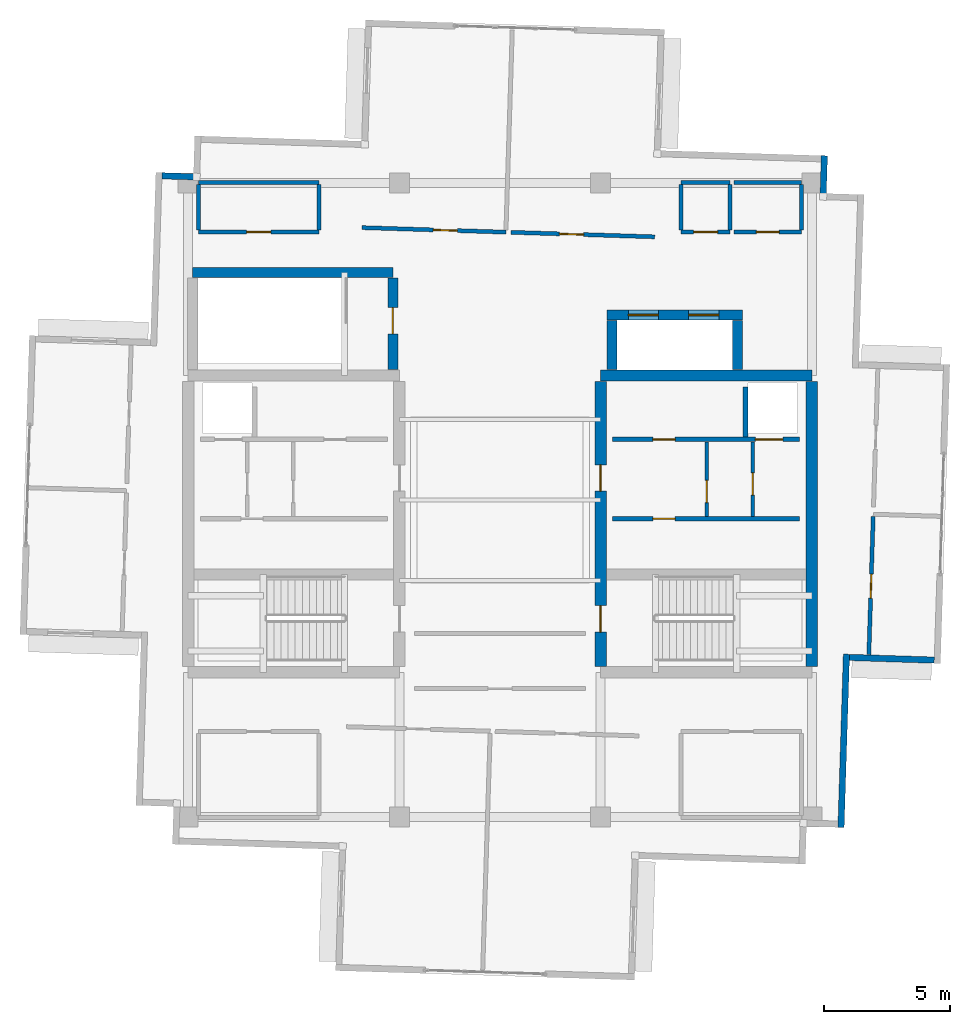
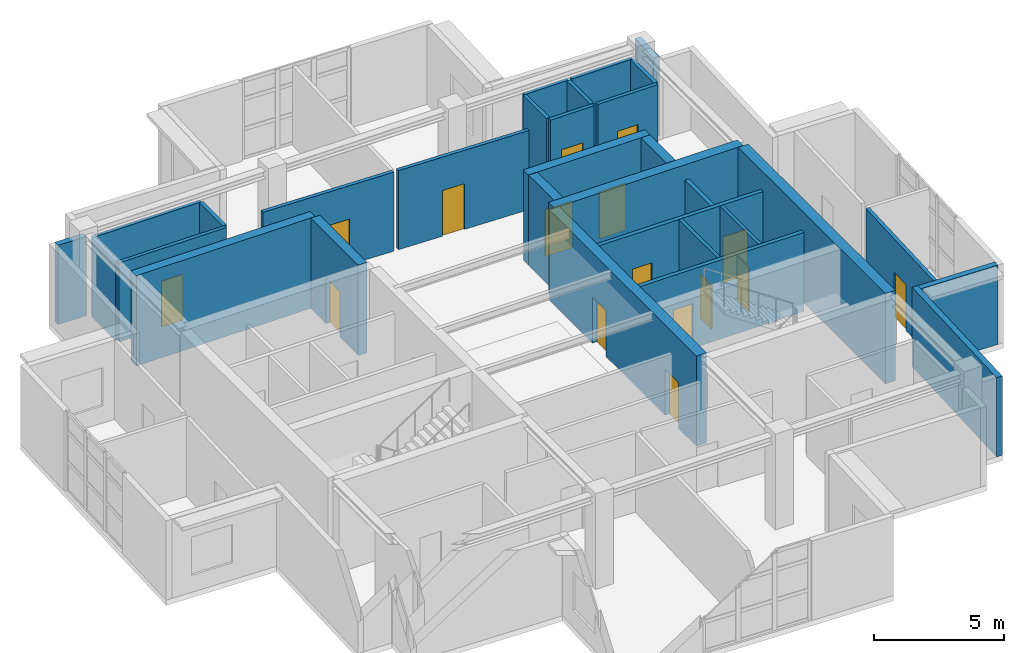
# One storey, part 11 of 14: 31 walls, 16 doors, 16 openings.
"""IFC4 building model written with IfcOpenShell, lengths in metres."""

from ifc_helpers import new_model, si_unit, direction, frame, frame_2d, origin, place, context, subcontext, project, spatial, rectangle, extrude, material, layer, layer_set, type_object, element, fill, save


model = new_model("IFC4")

# Units and contexts
model_context = context("Model", 3, precision=1e-05, world=origin(), true_north=direction((0.0, 1.0)))
body_context = subcontext(model_context, "Body", "Model", "MODEL_VIEW")
ifc_project = project(units=[si_unit("LENGTHUNIT", "METRE"), si_unit("AREAUNIT", "SQUARE_METRE"), si_unit("VOLUMEUNIT", "CUBIC_METRE"), si_unit("PLANEANGLEUNIT", "RADIAN"), si_unit("MASSUNIT", "GRAM", prefix="KILO")], contexts=[model_context])

# Site, building, storey
site_placement = place(None, origin())
site = spatial("IfcSite", under=ifc_project, at=site_placement, CompositionType="ELEMENT")
building_placement = place(site_placement, origin())
building = spatial("IfcBuilding", under=site, at=building_placement, Name="Qingluan Cross Belvedere", CompositionType="ELEMENT")
storey_placement = place(building_placement, frame((0.0, 0.0, 317.39990234375)))
storey = spatial("IfcBuildingStorey", under=building, at=storey_placement, Name="L78", CompositionType="ELEMENT", Elevation=317.39990234375)

# Wall
ifc_material_1 = material(Name="Concrete C50", Category="concrete")
ifc_layer_1 = layer(ifc_material_1, 0.449951171875, Name="CoreShearWall_450")
ifc_layer_set_1 = layer_set([ifc_layer_1], Name="Concrete C50")
wall_type_1 = type_object("IfcWallType", Name="CoreShearWall_450", PredefinedType="SHEAR", material=ifc_layer_set_1)
wall_1_placement = place(storey_placement, frame((4.0, 4.949951171875, 0.0), z_axis=(0.0, 0.0, 1.0), x_axis=(1.0, 0.0, 0.0)))
element("IfcWall", 1, at=wall_1_placement, inside=storey, type_object=wall_type_1, Name="Split core E shear wall L78-N", PredefinedType="SHEAR", context=body_context, shape_type="SweptSolid", body=[
    extrude(rectangle(XDim=8.39990234375, YDim=0.449951171875, at=frame_2d((4.199951171875, 0.0))), origin(), (0.0, 0.0, 1.0), 4.25),
])

# Wall, openings, doors
wall_2_placement = place(storey_placement, frame((4.0, -6.6201171875, 0.0), z_axis=(0.0, 0.0, 1.0), x_axis=(0.0, 1.0, 0.0)))
wall_2 = element("IfcWall", 2, at=wall_2_placement, inside=storey, type_object=wall_type_1, Name="Split core E shear wall L78-W", PredefinedType="SHEAR", context=body_context, shape_type="SweptSolid", body=[
    extrude(rectangle(XDim=11.340087890625, YDim=0.449951171875, at=frame_2d((5.669921875, 0.0))), origin(), (0.0, 0.0, 1.0), 4.25),
])
opening_1_placement = place(wall_2_placement, frame((1.3701171875, 0.0, 0.0)))
opening_1 = element("IfcOpeningElement", 3, at=opening_1_placement, cuts=wall_2, Name="Opening FD-B11", PredefinedType="OPENING", context=body_context, shape_type="SweptSolid", body=[
    extrude(rectangle(XDim=1.050048828125, YDim=2.14990234375, at=frame_2d((0.52490234375, 1.074951171875))), frame((0.0, 0.23486328125, 0.0), z_axis=(0.0, -1.0, 0.0), x_axis=(1.0, 0.0, 0.0)), (0.0, 0.0, 1.0), 0.469970703125),
])
opening_2_placement = place(wall_2_placement, frame((6.969970703125, 0.0, 0.0)))
opening_2 = element("IfcOpeningElement", 4, at=opening_2_placement, cuts=wall_2, Name="Opening FD-B11", PredefinedType="OPENING", context=body_context, shape_type="SweptSolid", body=[
    extrude(rectangle(XDim=1.050048828125, YDim=2.14990234375, at=frame_2d((0.52490234375, 1.074951171875))), frame((0.0, 0.23486328125, 0.0), z_axis=(0.0, -1.0, 0.0), x_axis=(1.0, 0.0, 0.0)), (0.0, 0.0, 1.0), 0.469970703125),
])
ifc_material_2 = material(Name="Steel Class B smoke-seal fire door", Category="steel")
door_type_1 = type_object("IfcDoorType", Name="StairLobbyFireDoor_FDB", OperationType="NOTDEFINED", PredefinedType="DOOR", material=ifc_material_2)
door_1_placement = place(opening_1_placement, origin())
door_1 = element("IfcDoor", 5, at=door_1_placement, inside=storey, type_object=door_type_1, Name="Smoke-proof stair ST2 fire door L78", OperationType="SINGLE_SWING_LEFT", OverallHeight=2.14990234375, OverallWidth=1.050048828125, PredefinedType="DOOR", context=body_context, shape_type="SweptSolid", body=[
    extrude(rectangle(XDim=1.050048828125, YDim=2.14990234375, at=frame_2d((0.52490234375, 1.074951171875))), frame((0.0, 0.02490234375, 0.0), z_axis=(0.0, -1.0, 0.0), x_axis=(1.0, 0.0, 0.0)), (0.0, 0.0, 1.0), 0.050048828125),
])
fill(opening_1, door_1)
door_2_placement = place(opening_2_placement, origin())
door_2 = element("IfcDoor", 6, at=door_2_placement, inside=storey, type_object=door_type_1, Name="Firefighting lobby East fire door L78", OperationType="SINGLE_SWING_LEFT", OverallHeight=2.14990234375, OverallWidth=1.050048828125, PredefinedType="DOOR", context=body_context, shape_type="SweptSolid", body=[
    extrude(rectangle(XDim=1.050048828125, YDim=2.14990234375, at=frame_2d((0.52490234375, 1.074951171875))), frame((0.0, 0.02490234375, 0.0), z_axis=(0.0, -1.0, 0.0), x_axis=(1.0, 0.0, 0.0)), (0.0, 0.0, 1.0), 0.050048828125),
])
fill(opening_2, door_2)

# Walls
wall_3_placement = place(storey_placement, frame((12.39990234375, -6.6201171875, 0.0), z_axis=(0.0, 0.0, 1.0), x_axis=(0.0, 1.0, 0.0)))
element("IfcWall", 7, at=wall_3_placement, inside=storey, type_object=wall_type_1, Name="Split core E shear wall L78-E", PredefinedType="SHEAR", context=body_context, shape_type="SweptSolid", body=[
    extrude(rectangle(XDim=11.340087890625, YDim=0.449951171875, at=frame_2d((5.669921875, 0.0))), origin(), (0.0, 0.0, 1.0), 4.25),
])
wall_4_placement = place(storey_placement, frame((-12.219970703125, 9.0400390625, 0.0), z_axis=(0.0, 0.0, 1.0), x_axis=(1.0, 0.0, 0.0)))
element("IfcWall", 8, at=wall_4_placement, inside=storey, type_object=wall_type_1, Name="Stair ST3 structural wall N L78", PredefinedType="SHEAR", context=body_context, shape_type="SweptSolid", body=[
    extrude(rectangle(XDim=7.9599609375, YDim=0.39990234375, at=frame_2d((3.97998046875, 0.0))), origin(), (0.0, 0.0, 1.0), 4.25),
])

# Wall, opening, door
wall_5_placement = place(storey_placement, frame((-4.260009765625, 5.179931640625, 0.0), z_axis=(0.0, 0.0, 1.0), x_axis=(0.0, 1.0, 0.0)))
wall_5 = element("IfcWall", 9, at=wall_5_placement, inside=storey, type_object=wall_type_1, Name="Stair ST3 structural wall E L78", PredefinedType="SHEAR", context=body_context, shape_type="SweptSolid", body=[
    extrude(rectangle(XDim=3.655029296875, YDim=0.39990234375, at=frame_2d((1.82763671875, 0.0))), origin(), (0.0, 0.0, 1.0), 4.25),
])
opening_3_placement = place(wall_5_placement, frame((1.419921875, 0.0, 0.0)))
opening_3 = element("IfcOpeningElement", 10, at=opening_3_placement, cuts=wall_5, Name="Opening FD-B11", PredefinedType="OPENING", context=body_context, shape_type="SweptSolid", body=[
    extrude(rectangle(XDim=1.050048828125, YDim=2.14990234375, at=frame_2d((0.52490234375, 1.074951171875))), frame((0.0, 0.2099609375, 0.0), z_axis=(0.0, -1.0, 0.0), x_axis=(1.0, 0.0, 0.0)), (0.0, 0.0, 1.0), 0.419921875),
])
door_3_placement = place(opening_3_placement, origin())
door_3 = element("IfcDoor", 11, at=door_3_placement, inside=storey, type_object=door_type_1, Name="Smoke-proof stair ST3 fire door L78", OperationType="SINGLE_SWING_RIGHT", OverallHeight=2.14990234375, OverallWidth=1.050048828125, PredefinedType="DOOR", context=body_context, shape_type="SweptSolid", body=[
    extrude(rectangle(XDim=1.050048828125, YDim=2.14990234375, at=frame_2d((0.52490234375, 1.074951171875))), frame((0.0, 0.02490234375, 0.0), z_axis=(0.0, -1.0, 0.0), x_axis=(1.0, 0.0, 0.0)), (0.0, 0.0, 1.0), 0.050048828125),
])
fill(opening_3, door_3)

# Wall
wall_6_placement = place(storey_placement, frame((4.449951171875, 5.179931640625, 0.0), z_axis=(0.0, 0.0, 1.0), x_axis=(0.0, 1.0, 0.0)))
element("IfcWall", 12, at=wall_6_placement, inside=storey, type_object=wall_type_1, Name="Express shuttle core wall L78-W", PredefinedType="SHEAR", context=body_context, shape_type="SweptSolid", body=[
    extrude(rectangle(XDim=1.9599609375, YDim=0.39990234375, at=frame_2d((0.97998046875, 0.0))), origin(), (0.0, 0.0, 1.0), 4.25),
])

# Wall, openings, doors
wall_7_placement = place(storey_placement, frame((4.25, 7.35009765625, 0.0), z_axis=(0.0, 0.0, 1.0), x_axis=(1.0, 0.0, 0.0)))
wall_7 = element("IfcWall", 13, at=wall_7_placement, inside=storey, type_object=wall_type_1, Name="Express shuttle core wall L78-N", PredefinedType="SHEAR", context=body_context, shape_type="SweptSolid", body=[
    extrude(rectangle(XDim=5.39990234375, YDim=0.39990234375, at=frame_2d((2.699951171875, 0.0))), origin(), (0.0, 0.0, 1.0), 4.25),
])
opening_4_placement = place(wall_7_placement, frame((0.85009765625, 0.0, 0.0)))
opening_4 = element("IfcOpeningElement", 14, at=opening_4_placement, cuts=wall_7, Name="Opening LD-12", PredefinedType="OPENING", context=body_context, shape_type="SweptSolid", body=[
    extrude(rectangle(XDim=1.199951171875, YDim=2.199951171875, at=frame_2d((0.60009765625, 1.10009765625))), frame((0.0, 0.2099609375, 0.0), z_axis=(0.0, -1.0, 0.0), x_axis=(1.0, 0.0, 0.0)), (0.0, 0.0, 1.0), 0.419921875),
])
opening_5_placement = place(wall_7_placement, frame((3.25, 0.0, 0.0)))
opening_5 = element("IfcOpeningElement", 15, at=opening_5_placement, cuts=wall_7, Name="Opening LD-12", PredefinedType="OPENING", context=body_context, shape_type="SweptSolid", body=[
    extrude(rectangle(XDim=1.199951171875, YDim=2.199951171875, at=frame_2d((0.60009765625, 1.10009765625))), frame((0.0, 0.2099609375, 0.0), z_axis=(0.0, -1.0, 0.0), x_axis=(1.0, 0.0, 0.0)), (0.0, 0.0, 1.0), 0.419921875),
])
ifc_material_3 = material(Name="Bronze-anodised stainless steel lift landing door", Category="steel")
door_type_2 = type_object("IfcDoorType", Name="ExpressLiftSlidingDoor_1200", OperationType="DOUBLE_DOOR_SLIDING", PredefinedType="DOOR", material=ifc_material_3)
door_4_placement = place(opening_4_placement, origin())
door_4 = element("IfcDoor", 16, at=door_4_placement, inside=storey, type_object=door_type_2, Name="Express shuttle landing sliding door LPX1 L78", OperationType="DOUBLE_DOOR_SLIDING", OverallHeight=2.199951171875, OverallWidth=1.199951171875, PredefinedType="DOOR", context=body_context, shape_type="SweptSolid", body=[
    extrude(rectangle(XDim=1.199951171875, YDim=2.199951171875, at=frame_2d((0.60009765625, 1.10009765625))), frame((0.0, 0.02490234375, 0.0), z_axis=(0.0, -1.0, 0.0), x_axis=(1.0, 0.0, 0.0)), (0.0, 0.0, 1.0), 0.050048828125),
])
fill(opening_4, door_4)
door_5_placement = place(opening_5_placement, origin())
door_5 = element("IfcDoor", 17, at=door_5_placement, inside=storey, type_object=door_type_2, Name="Express shuttle landing sliding door LPX2 L78", OperationType="DOUBLE_DOOR_SLIDING", OverallHeight=2.199951171875, OverallWidth=1.199951171875, PredefinedType="DOOR", context=body_context, shape_type="SweptSolid", body=[
    extrude(rectangle(XDim=1.199951171875, YDim=2.199951171875, at=frame_2d((0.60009765625, 1.10009765625))), frame((0.0, 0.02490234375, 0.0), z_axis=(0.0, -1.0, 0.0), x_axis=(1.0, 0.0, 0.0)), (0.0, 0.0, 1.0), 0.050048828125),
])
fill(opening_5, door_5)

# Wall
wall_8_placement = place(storey_placement, frame((9.449951171875, 5.179931640625, 0.0), z_axis=(0.0, 0.0, 1.0), x_axis=(0.0, 1.0, 0.0)))
element("IfcWall", 18, at=wall_8_placement, inside=storey, type_object=wall_type_1, Name="Express shuttle core wall L78-E", PredefinedType="SHEAR", context=body_context, shape_type="SweptSolid", body=[
    extrude(rectangle(XDim=1.9599609375, YDim=0.39990234375, at=frame_2d((0.97998046875, 0.0))), origin(), (0.0, 0.0, 1.0), 4.25),
])

# Wall, opening, door
ifc_material_4 = material(Name="Gypsum plasterboard on steel stud acoustic partition", Category="steel")
ifc_layer_2 = layer(ifc_material_4, 0.159912109375, Name="CorridorPartition_160")
ifc_layer_set_2 = layer_set([ifc_layer_2], Name="Gypsum plasterboard on steel stud acoustic partition")
wall_type_2 = type_object("IfcWallType", Name="CorridorPartition_160", PredefinedType="PARTITIONING", material=ifc_layer_set_2)
wall_9_placement = place(storey_placement, frame((10.050048828125, -0.652099609375, 0.0), z_axis=(0.0, 0.0, 1.0), x_axis=(0.0, 1.0, 0.0)))
wall_9 = element("IfcWall", 19, at=wall_9_placement, inside=storey, type_object=wall_type_2, Name="Partition L78:ev", PredefinedType="PARTITIONING", context=body_context, shape_type="SweptSolid", body=[
    extrude(rectangle(XDim=2.962158203125, YDim=0.139892578125, at=frame_2d((1.48095703125, 0.0))), origin(), (0.0, 0.0, 1.0), 3.72021484375),
])
opening_6_placement = place(wall_9_placement, frame((0.85009765625, 0.0, 0.0)))
opening_6 = element("IfcOpeningElement", 20, at=opening_6_placement, cuts=wall_9, Name="Opening FD-B10", PredefinedType="OPENING", context=body_context, shape_type="SweptSolid", body=[
    extrude(rectangle(XDim=0.8798828125, YDim=2.10009765625, at=frame_2d((0.43994140625, 1.050048828125))), frame((0.0, 0.079833984375, 0.0), z_axis=(0.0, -1.0, 0.0), x_axis=(1.0, 0.0, 0.0)), (0.0, 0.0, 1.0), 0.159912109375),
])
ifc_material_5 = material(Name="Steel Class B service fire door", Category="steel")
door_type_3 = type_object("IfcDoorType", Name="RiserServiceFireDoor_FDB", OperationType="NOTDEFINED", PredefinedType="DOOR", material=ifc_material_5)
door_6_placement = place(opening_6_placement, origin())
door_6 = element("IfcDoor", 21, at=door_6_placement, inside=storey, type_object=door_type_3, Name="Service closet inner door L78", OperationType="SINGLE_SWING_RIGHT", OverallHeight=2.10009765625, OverallWidth=0.8798828125, PredefinedType="DOOR", context=body_context, shape_type="SweptSolid", body=[
    extrude(rectangle(XDim=0.8798828125, YDim=2.10009765625, at=frame_2d((0.43994140625, 1.050048828125))), frame((0.0, 0.02490234375, 0.0), z_axis=(0.0, -1.0, 0.0), x_axis=(1.0, 0.0, 0.0)), (0.0, 0.0, 1.0), 0.050048828125),
])
fill(opening_6, door_6)

wall_10_placement = place(storey_placement, frame((-5.482666015625, 10.82763671875, 0.0), z_axis=(0.0, 0.0, 1.0), x_axis=(0.999506480363, -0.031413304704, 0.0)))
wall_10 = element("IfcWall", 22, at=wall_10_placement, inside=storey, type_object=wall_type_2, Name="Partition L78:obs_n1:S", PredefinedType="PARTITIONING", context=body_context, shape_type="SweptSolid", body=[
    extrude(rectangle(XDim=5.72021484375, YDim=0.159912109375, at=frame_2d((2.860107421875, 0.0))), origin(), (0.0, 0.0, 1.0), 3.72021484375),
])
opening_7_placement = place(wall_10_placement, frame((2.830078125, 0.0, 0.0)))
opening_7 = element("IfcOpeningElement", 23, at=opening_7_placement, cuts=wall_10, Name="Opening GD-10", PredefinedType="OPENING", context=body_context, shape_type="SweptSolid", body=[
    extrude(rectangle(XDim=0.9599609375, YDim=2.14990234375, at=frame_2d((0.47998046875, 1.074951171875))), frame((0.0, 0.08984375, 0.0), z_axis=(0.0, -1.0, 0.0), x_axis=(1.0, 0.0, 0.0)), (0.0, 0.0, 1.0), 0.179931640625),
])
ifc_material_6 = material(Name="Timber oak fire-rated acoustic guestroom door", Category="wood")
door_type_4 = type_object("IfcDoorType", Name="GuestEntryDoor_FD60", OperationType="NOTDEFINED", PredefinedType="DOOR", material=ifc_material_6)
door_7_placement = place(opening_7_placement, origin())
door_7 = element("IfcDoor", 24, at=door_7_placement, inside=storey, type_object=door_type_4, Name="North panorama observation hall W L78 door", OperationType="SINGLE_SWING_RIGHT", OverallHeight=2.14990234375, OverallWidth=0.9599609375, PredefinedType="DOOR", context=body_context, shape_type="SweptSolid", body=[
    extrude(rectangle(XDim=0.9599609375, YDim=2.14990234375, at=frame_2d((0.47998046875, 1.074951171875))), frame((0.0, 0.02490234375, 0.0), z_axis=(0.0, -1.0, 0.0), x_axis=(1.0, 0.0, 0.0)), (0.0, 0.0, 1.0), 0.050048828125),
])
fill(opening_7, door_7)

wall_11_placement = place(storey_placement, frame((0.4345703125, 10.6416015625, 0.0), z_axis=(0.0, 0.0, 1.0), x_axis=(0.999506438243, -0.031414644854, 0.0)))
wall_11 = element("IfcWall", 25, at=wall_11_placement, inside=storey, type_object=wall_type_2, Name="Partition L78:obs_n2:S", PredefinedType="PARTITIONING", context=body_context, shape_type="SweptSolid", body=[
    extrude(rectangle(XDim=5.719970703125, YDim=0.159912109375, at=frame_2d((2.85986328125, 0.0))), origin(), (0.0, 0.0, 1.0), 3.72021484375),
])
opening_8_placement = place(wall_11_placement, frame((1.929931640625, 0.0, 0.0)))
opening_8 = element("IfcOpeningElement", 26, at=opening_8_placement, cuts=wall_11, Name="Opening GD-10", PredefinedType="OPENING", context=body_context, shape_type="SweptSolid", body=[
    extrude(rectangle(XDim=0.9599609375, YDim=2.14990234375, at=frame_2d((0.47998046875, 1.074951171875))), frame((0.0, 0.08984375, 0.0), z_axis=(0.0, -1.0, 0.0), x_axis=(1.0, 0.0, 0.0)), (0.0, 0.0, 1.0), 0.179931640625),
])
door_8_placement = place(opening_8_placement, origin())
door_8 = element("IfcDoor", 27, at=door_8_placement, inside=storey, type_object=door_type_4, Name="North panorama observation hall E L78 door", OperationType="SINGLE_SWING_LEFT", OverallHeight=2.14990234375, OverallWidth=0.9599609375, PredefinedType="DOOR", context=body_context, shape_type="SweptSolid", body=[
    extrude(rectangle(XDim=0.9599609375, YDim=2.14990234375, at=frame_2d((0.47998046875, 1.074951171875))), frame((0.0, 0.02490234375, 0.0), z_axis=(0.0, -1.0, 0.0), x_axis=(1.0, 0.0, 0.0)), (0.0, 0.0, 1.0), 0.050048828125),
])
fill(opening_8, door_8)

wall_12_placement = place(storey_placement, frame((14.6640625, -6.150634765625, 0.0), z_axis=(0.0, 0.0, 1.0), x_axis=(0.031416227439, 0.999506388501, 0.0)))
wall_12 = element("IfcWall", 28, at=wall_12_placement, inside=storey, type_object=wall_type_2, Name="Partition L78:obs_e1:W", PredefinedType="PARTITIONING", context=body_context, shape_type="SweptSolid", body=[
    extrude(rectangle(XDim=5.501953125, YDim=0.159912109375, at=frame_2d((2.7509765625, 0.0))), origin(), (0.0, 0.0, 1.0), 3.72021484375),
])
opening_9_placement = place(wall_12_placement, frame((2.2470703125, 0.0, 0.0)))
opening_9 = element("IfcOpeningElement", 29, at=opening_9_placement, cuts=wall_12, Name="Opening GD-10", PredefinedType="OPENING", context=body_context, shape_type="SweptSolid", body=[
    extrude(rectangle(XDim=0.9599609375, YDim=2.14990234375, at=frame_2d((0.47998046875, 1.074951171875))), frame((0.0, 0.08984375, 0.0), z_axis=(0.0, -1.0, 0.0), x_axis=(1.0, 0.0, 0.0)), (0.0, 0.0, 1.0), 0.179931640625),
])
door_9_placement = place(opening_9_placement, origin())
door_9 = element("IfcDoor", 30, at=door_9_placement, inside=storey, type_object=door_type_4, Name="Belvedere sky bistro S L78 door", OperationType="SINGLE_SWING_RIGHT", OverallHeight=2.14990234375, OverallWidth=0.9599609375, PredefinedType="DOOR", context=body_context, shape_type="SweptSolid", body=[
    extrude(rectangle(XDim=0.9599609375, YDim=2.14990234375, at=frame_2d((0.47998046875, 1.074951171875))), frame((0.0, 0.02490234375, 0.0), z_axis=(0.0, -1.0, 0.0), x_axis=(1.0, 0.0, 0.0)), (0.0, 0.0, 1.0), 0.050048828125),
])
fill(opening_9, door_9)

wall_13_placement = place(storey_placement, frame((7.199951171875, 10.64990234375, 0.0), z_axis=(0.0, 0.0, 1.0), x_axis=(1.0, 0.0, 0.0)))
wall_13 = element("IfcWall", 31, at=wall_13_placement, inside=storey, type_object=wall_type_2, Name="Partition L78:crown_wc:S", PredefinedType="PARTITIONING", context=body_context, shape_type="SweptSolid", body=[
    extrude(rectangle(XDim=1.949951171875, YDim=0.159912109375, at=frame_2d((0.97509765625, 0.0))), origin(), (0.0, 0.0, 1.0), 3.72021484375),
])
opening_10_placement = place(wall_13_placement, frame((0.4951171875, 0.0, 0.0)))
opening_10 = element("IfcOpeningElement", 32, at=opening_10_placement, cuts=wall_13, Name="Opening GD-10", PredefinedType="OPENING", context=body_context, shape_type="SweptSolid", body=[
    extrude(rectangle(XDim=0.9599609375, YDim=2.14990234375, at=frame_2d((0.47998046875, 1.074951171875))), frame((0.0, 0.08984375, 0.0), z_axis=(0.0, -1.0, 0.0), x_axis=(1.0, 0.0, 0.0)), (0.0, 0.0, 1.0), 0.179931640625),
])
door_10_placement = place(opening_10_placement, origin())
door_10 = element("IfcDoor", 33, at=door_10_placement, inside=storey, type_object=door_type_4, Name="Observation washrooms L78 door", OperationType="SINGLE_SWING_RIGHT", OverallHeight=2.14990234375, OverallWidth=0.9599609375, PredefinedType="DOOR", context=body_context, shape_type="SweptSolid", body=[
    extrude(rectangle(XDim=0.9599609375, YDim=2.14990234375, at=frame_2d((0.47998046875, 1.074951171875))), frame((0.0, 0.02490234375, 0.0), z_axis=(0.0, -1.0, 0.0), x_axis=(1.0, 0.0, 0.0)), (0.0, 0.0, 1.0), 0.050048828125),
])
fill(opening_10, door_10)

# Walls
wall_14_placement = place(storey_placement, frame((7.199951171875, 12.6298828125, 0.0), z_axis=(0.0, 0.0, 1.0), x_axis=(1.0, 0.0, 0.0)))
element("IfcWall", 34, at=wall_14_placement, inside=storey, type_object=wall_type_2, Name="Partition L78:crown_wc:N", PredefinedType="PARTITIONING", context=body_context, shape_type="SweptSolid", body=[
    extrude(rectangle(XDim=1.949951171875, YDim=0.159912109375, at=frame_2d((0.97509765625, 0.0))), origin(), (0.0, 0.0, 1.0), 3.72021484375),
])
for number, where, z_axis, x_axis, name in (
    (35, (7.199951171875, 10.735107421875, 0.0), (0.0, 0.0, 1.0), (0.0, 1.0, 0.0), "Partition L78:crown_wc:W"),
    (36, (9.14990234375, 10.735107421875, 0.0), (0.0, 0.0, 1.0), (0.0, 1.0, 0.0), "Partition L78:crown_wc:E"),
):
    element("IfcWall", number, at=place(storey_placement, frame(where, z_axis=z_axis, x_axis=x_axis)), inside=storey, type_object=wall_type_2, Name=name, PredefinedType="PARTITIONING", context=body_context, shape_type="SweptSolid", body=[
        extrude(rectangle(XDim=1.809814453125, YDim=0.159912109375, at=frame_2d((0.90478515625, 0.0))), origin(), (0.0, 0.0, 1.0), 3.72021484375),
    ])

# Wall, opening, door
wall_15_placement = place(storey_placement, frame((9.31005859375, 10.64990234375, 0.0), z_axis=(0.0, 0.0, 1.0), x_axis=(1.0, 0.0, 0.0)))
wall_15 = element("IfcWall", 37, at=wall_15_placement, inside=storey, type_object=wall_type_2, Name="Partition L78:crown_acc:S", PredefinedType="PARTITIONING", context=body_context, shape_type="SweptSolid", body=[
    extrude(rectangle(XDim=2.669921875, YDim=0.159912109375, at=frame_2d((1.3349609375, 0.0))), origin(), (0.0, 0.0, 1.0), 3.72021484375),
])
opening_11_placement = place(wall_15_placement, frame((0.885009765625, 0.0, 0.0)))
opening_11 = element("IfcOpeningElement", 38, at=opening_11_placement, cuts=wall_15, Name="Opening BD-90", PredefinedType="OPENING", context=body_context, shape_type="SweptSolid", body=[
    extrude(rectangle(XDim=0.89990234375, YDim=2.14990234375, at=frame_2d((0.449951171875, 1.074951171875))), frame((0.0, 0.08984375, 0.0), z_axis=(0.0, -1.0, 0.0), x_axis=(1.0, 0.0, 0.0)), (0.0, 0.0, 1.0), 0.179931640625),
])
ifc_material_7 = material(Name="Moisture-sealed timber washroom door", Category="wood")
door_type_5 = type_object("IfcDoorType", Name="AccessibleWCDoor_900", OperationType="NOTDEFINED", PredefinedType="DOOR", material=ifc_material_7)
door_11_placement = place(opening_11_placement, origin())
door_11 = element("IfcDoor", 39, at=door_11_placement, inside=storey, type_object=door_type_5, Name="Accessible toilet L78 door", OperationType="SINGLE_SWING_LEFT", OverallHeight=2.14990234375, OverallWidth=0.89990234375, PredefinedType="DOOR", context=body_context, shape_type="SweptSolid", body=[
    extrude(rectangle(XDim=0.89990234375, YDim=2.14990234375, at=frame_2d((0.449951171875, 1.074951171875))), frame((0.0, 0.02490234375, 0.0), z_axis=(0.0, -1.0, 0.0), x_axis=(1.0, 0.0, 0.0)), (0.0, 0.0, 1.0), 0.050048828125),
])
fill(opening_11, door_11)

# Walls
wall_16_placement = place(storey_placement, frame((9.31005859375, 12.6298828125, 0.0), z_axis=(0.0, 0.0, 1.0), x_axis=(1.0, 0.0, 0.0)))
element("IfcWall", 40, at=wall_16_placement, inside=storey, type_object=wall_type_2, Name="Partition L78:crown_acc:N", PredefinedType="PARTITIONING", context=body_context, shape_type="SweptSolid", body=[
    extrude(rectangle(XDim=2.669921875, YDim=0.159912109375, at=frame_2d((1.3349609375, 0.0))), origin(), (0.0, 0.0, 1.0), 3.72021484375),
])
wall_17_placement = place(storey_placement, frame((11.97998046875, 10.735107421875, 0.0), z_axis=(0.0, 0.0, 1.0), x_axis=(0.0, 1.0, 0.0)))
element("IfcWall", 41, at=wall_17_placement, inside=storey, type_object=wall_type_2, Name="Partition L78:crown_acc:E", PredefinedType="PARTITIONING", context=body_context, shape_type="SweptSolid", body=[
    extrude(rectangle(XDim=1.809814453125, YDim=0.159912109375, at=frame_2d((0.90478515625, 0.0))), origin(), (0.0, 0.0, 1.0), 3.72021484375),
])

# Wall, opening, door
wall_18_placement = place(storey_placement, frame((-11.97998046875, 10.64990234375, 0.0), z_axis=(0.0, 0.0, 1.0), x_axis=(1.0, 0.0, 0.0)))
wall_18 = element("IfcWall", 42, at=wall_18_placement, inside=storey, type_object=wall_type_2, Name="Partition L78:crown_nw:S", PredefinedType="PARTITIONING", context=body_context, shape_type="SweptSolid", body=[
    extrude(rectangle(XDim=4.780029296875, YDim=0.159912109375, at=frame_2d((2.39013671875, 0.0))), origin(), (0.0, 0.0, 1.0), 3.72021484375),
])
opening_12_placement = place(wall_18_placement, frame((1.909912109375, 0.0, 0.0)))
opening_12 = element("IfcOpeningElement", 43, at=opening_12_placement, cuts=wall_18, Name="Opening GD-10", PredefinedType="OPENING", context=body_context, shape_type="SweptSolid", body=[
    extrude(rectangle(XDim=0.9599609375, YDim=2.14990234375, at=frame_2d((0.47998046875, 1.074951171875))), frame((0.0, 0.08984375, 0.0), z_axis=(0.0, -1.0, 0.0), x_axis=(1.0, 0.0, 0.0)), (0.0, 0.0, 1.0), 0.179931640625),
])
door_12_placement = place(opening_12_placement, origin())
door_12 = element("IfcDoor", 44, at=door_12_placement, inside=storey, type_object=door_type_4, Name="Northwest panorama gallery L78 door", OperationType="SINGLE_SWING_RIGHT", OverallHeight=2.14990234375, OverallWidth=0.9599609375, PredefinedType="DOOR", context=body_context, shape_type="SweptSolid", body=[
    extrude(rectangle(XDim=0.9599609375, YDim=2.14990234375, at=frame_2d((0.47998046875, 1.074951171875))), frame((0.0, 0.02490234375, 0.0), z_axis=(0.0, -1.0, 0.0), x_axis=(1.0, 0.0, 0.0)), (0.0, 0.0, 1.0), 0.050048828125),
])
fill(opening_12, door_12)

# Walls
wall_19_placement = place(storey_placement, frame((-11.97998046875, 12.6298828125, 0.0), z_axis=(0.0, 0.0, 1.0), x_axis=(1.0, 0.0, 0.0)))
element("IfcWall", 45, at=wall_19_placement, inside=storey, type_object=wall_type_2, Name="Partition L78:crown_nw:N", PredefinedType="PARTITIONING", context=body_context, shape_type="SweptSolid", body=[
    extrude(rectangle(XDim=4.780029296875, YDim=0.159912109375, at=frame_2d((2.39013671875, 0.0))), origin(), (0.0, 0.0, 1.0), 3.72021484375),
])
for number, where, z_axis, x_axis, name in (
    (46, (-11.97998046875, 10.735107421875, 0.0), (0.0, 0.0, 1.0), (0.0, 1.0, 0.0), "Partition L78:crown_nw:W"),
    (47, (-7.199951171875, 10.735107421875, 0.0), (0.0, 0.0, 1.0), (0.0, 1.0, 0.0), "Partition L78:crown_nw:E"),
):
    element("IfcWall", number, at=place(storey_placement, frame(where, z_axis=z_axis, x_axis=x_axis)), inside=storey, type_object=wall_type_2, Name=name, PredefinedType="PARTITIONING", context=body_context, shape_type="SweptSolid", body=[
        extrude(rectangle(XDim=1.809814453125, YDim=0.159912109375, at=frame_2d((0.90478515625, 0.0))), origin(), (0.0, 0.0, 1.0), 3.72021484375),
    ])
ifc_material_8 = material(Name="Precast concrete C45", Category="concrete")
ifc_layer_3 = layer(ifc_material_8, 0.25, Name="PrecastCrownWall_250")
ifc_layer_set_3 = layer_set([ifc_layer_3], Name="Precast concrete C45")
wall_type_3 = type_object("IfcWallType", Name="PrecastCrownWall_250", PredefinedType="STANDARD", material=ifc_layer_set_3)
wall_20_placement = place(storey_placement, frame((13.895263671875, -6.259521484375, 0.0), z_axis=(0.0, 0.0, 1.0), x_axis=(0.999505623311, -0.031440562479, 0.0)))
element("IfcWall", 48, at=wall_20_placement, inside=storey, type_object=wall_type_3, Name="Facade wall L78-EA", PredefinedType="STANDARD", context=body_context, shape_type="SweptSolid", body=[
    extrude(rectangle(XDim=3.3701171875, YDim=0.25, at=frame_2d((1.68505859375, 0.0))), origin(), (0.0, 0.0, 1.0), 3.72998046875),
])
wall_21_placement = place(storey_placement, frame((12.84912109375, 12.1875, 0.0), z_axis=(0.0, 0.0, 1.0), x_axis=(0.031412596484, 0.999506502621, 0.0)))
element("IfcWall", 49, at=wall_21_placement, inside=storey, type_object=wall_type_3, Name="Corner wall L78-NE3", PredefinedType="STANDARD", context=body_context, shape_type="SweptSolid", body=[
    extrude(rectangle(XDim=1.5, YDim=0.25, at=frame_2d((0.75, 0.0))), origin(), (0.0, 0.0, 1.0), 3.72998046875),
])
wall_22_placement = place(storey_placement, frame((-13.436767578125, 12.888427734375, 0.0), z_axis=(0.0, 0.0, 1.0), x_axis=(0.999505383482, -0.0314481858, 0.0)))
element("IfcWall", 50, at=wall_22_placement, inside=storey, type_object=wall_type_3, Name="Corner wall L78-NW2", PredefinedType="STANDARD", context=body_context, shape_type="SweptSolid", body=[
    extrude(rectangle(XDim=1.25, YDim=0.25, at=frame_2d((0.625, 0.0))), origin(), (0.0, 0.0, 1.0), 3.72998046875),
])
wall_23_placement = place(storey_placement, frame((13.774169921875, -6.130615234375, 0.0), z_axis=(0.0, 0.0, 1.0), x_axis=(-0.031394046997, -0.999507085424, 0.0)))
element("IfcWall", 51, at=wall_23_placement, inside=storey, type_object=wall_type_3, Name="Corner wall L78-SE1", PredefinedType="STANDARD", context=body_context, shape_type="SweptSolid", body=[
    extrude(rectangle(XDim=6.89013671875, YDim=0.25, at=frame_2d((3.445068359375, 0.0))), origin(), (0.0, 0.0, 1.0), 3.72998046875),
])

# Wall, openings, doors
ifc_material_9 = material(Name="Concrete C40", Category="concrete")
ifc_layer_4 = layer(ifc_material_9, 0.219970703125, Name="ShaftEnclosureWall_250")
ifc_layer_set_4 = layer_set([ifc_layer_4], Name="Concrete C40")
wall_type_4 = type_object("IfcWallType", Name="ShaftEnclosureWall_250", PredefinedType="SOLIDWALL", material=ifc_layer_set_4)
wall_24_placement = place(storey_placement, frame((4.47998046875, 2.409912109375, 0.0), z_axis=(0.0, 0.0, 1.0), x_axis=(1.0, 0.0, 0.0)))
wall_24 = element("IfcWall", 52, at=wall_24_placement, inside=storey, type_object=wall_type_4, Name="Core-E north hoistway wall L78", PredefinedType="SOLIDWALL", context=body_context, shape_type="SweptSolid", body=[
    extrude(rectangle(XDim=7.419921875, YDim=0.179931640625, at=frame_2d((3.7099609375, 0.0))), origin(), (0.0, 0.0, 1.0), 3.72021484375),
])
opening_13_placement = place(wall_24_placement, frame((5.669921875, 0.0, 0.0)))
opening_13 = element("IfcOpeningElement", 53, at=opening_13_placement, cuts=wall_24, Name="Opening LD-11", PredefinedType="OPENING", context=body_context, shape_type="SweptSolid", body=[
    extrude(rectangle(XDim=1.10009765625, YDim=2.14990234375, at=frame_2d((0.550048828125, 1.074951171875))), frame((0.0, 0.099853515625, 0.0), z_axis=(0.0, -1.0, 0.0), x_axis=(1.0, 0.0, 0.0)), (0.0, 0.0, 1.0), 0.199951171875),
])
opening_14_placement = place(wall_24_placement, frame((1.60009765625, 0.0, 0.0)))
opening_14 = element("IfcOpeningElement", 54, at=opening_14_placement, cuts=wall_24, Name="Opening FD-B10", PredefinedType="OPENING", context=body_context, shape_type="SweptSolid", body=[
    extrude(rectangle(XDim=0.8798828125, YDim=2.10009765625, at=frame_2d((0.43994140625, 1.050048828125))), frame((0.0, 0.099853515625, 0.0), z_axis=(0.0, -1.0, 0.0), x_axis=(1.0, 0.0, 0.0)), (0.0, 0.0, 1.0), 0.199951171875),
])
ifc_material_10 = material(Name="Brushed stainless steel centre-opening lift landing door", Category="steel")
door_type_6 = type_object("IfcDoorType", Name="LiftLandingSlidingDoor_1100", OperationType="DOUBLE_DOOR_SLIDING", PredefinedType="DOOR", material=ifc_material_10)
door_13_placement = place(opening_13_placement, origin())
door_13 = element("IfcDoor", 55, at=door_13_placement, inside=storey, type_object=door_type_6, Name="Lift landing sliding door FL2 L78", OperationType="DOUBLE_DOOR_SLIDING", OverallHeight=2.14990234375, OverallWidth=1.10009765625, PredefinedType="DOOR", context=body_context, shape_type="SweptSolid", body=[
    extrude(rectangle(XDim=1.10009765625, YDim=2.14990234375, at=frame_2d((0.550048828125, 1.074951171875))), frame((0.0, 0.02490234375, 0.0), z_axis=(0.0, -1.0, 0.0), x_axis=(1.0, 0.0, 0.0)), (0.0, 0.0, 1.0), 0.050048828125),
])
fill(opening_13, door_13)
door_14_placement = place(opening_14_placement, origin())
door_14 = element("IfcDoor", 56, at=door_14_placement, inside=storey, type_object=door_type_3, Name="Pantry room door E L78", OperationType="SINGLE_SWING_RIGHT", OverallHeight=2.10009765625, OverallWidth=0.8798828125, PredefinedType="DOOR", context=body_context, shape_type="SweptSolid", body=[
    extrude(rectangle(XDim=0.8798828125, YDim=2.10009765625, at=frame_2d((0.43994140625, 1.050048828125))), frame((0.0, 0.02490234375, 0.0), z_axis=(0.0, -1.0, 0.0), x_axis=(1.0, 0.0, 0.0)), (0.0, 0.0, 1.0), 0.050048828125),
])
fill(opening_14, door_14)

# Wall, opening, door
wall_25_placement = place(storey_placement, frame((4.47998046875, -0.75, 0.0), z_axis=(0.0, 0.0, 1.0), x_axis=(1.0, 0.0, 0.0)))
wall_25 = element("IfcWall", 57, at=wall_25_placement, inside=storey, type_object=wall_type_4, Name="Core-E mid hoistway wall L78", PredefinedType="SOLIDWALL", context=body_context, shape_type="SweptSolid", body=[
    extrude(rectangle(XDim=7.419921875, YDim=0.179931640625, at=frame_2d((3.7099609375, 0.0))), origin(), (0.0, 0.0, 1.0), 3.72021484375),
])
opening_15_placement = place(wall_25_placement, frame((1.60009765625, 0.0, 0.0)))
opening_15 = element("IfcOpeningElement", 58, at=opening_15_placement, cuts=wall_25, Name="Opening FD-B10", PredefinedType="OPENING", context=body_context, shape_type="SweptSolid", body=[
    extrude(rectangle(XDim=0.8798828125, YDim=2.10009765625, at=frame_2d((0.43994140625, 1.050048828125))), frame((0.0, 0.099853515625, 0.0), z_axis=(0.0, -1.0, 0.0), x_axis=(1.0, 0.0, 0.0)), (0.0, 0.0, 1.0), 0.199951171875),
])
door_15_placement = place(opening_15_placement, origin())
door_15 = element("IfcDoor", 59, at=door_15_placement, inside=storey, type_object=door_type_3, Name="Upper-zone linen store door L78", OperationType="SINGLE_SWING_RIGHT", OverallHeight=2.10009765625, OverallWidth=0.8798828125, PredefinedType="DOOR", context=body_context, shape_type="SweptSolid", body=[
    extrude(rectangle(XDim=0.8798828125, YDim=2.10009765625, at=frame_2d((0.43994140625, 1.050048828125))), frame((0.0, 0.02490234375, 0.0), z_axis=(0.0, -1.0, 0.0), x_axis=(1.0, 0.0, 0.0)), (0.0, 0.0, 1.0), 0.050048828125),
])
fill(opening_15, door_15)

# Wall
wall_26_placement = place(storey_placement, frame((9.760009765625, 2.5, 0.0), z_axis=(0.0, 0.0, 1.0), x_axis=(0.0, 1.0, 0.0)))
element("IfcWall", 60, at=wall_26_placement, inside=storey, type_object=wall_type_4, Name="Hoistway enclosure divider FL2W L78", PredefinedType="SOLIDWALL", context=body_context, shape_type="SweptSolid", body=[
    extrude(rectangle(XDim=1.989990234375, YDim=0.179931640625, at=frame_2d((0.9951171875, 0.0))), origin(), (0.0, 0.0, 1.0), 3.72021484375),
])

# Wall, opening, door
wall_27_placement = place(storey_placement, frame((8.219970703125, -0.64990234375, 0.0), z_axis=(0.0, 0.0, 1.0), x_axis=(0.0, 1.0, 0.0)))
wall_27 = element("IfcWall", 61, at=wall_27_placement, inside=storey, type_object=wall_type_4, Name="Core-E service corridor wall L78", PredefinedType="SOLIDWALL", context=body_context, shape_type="SweptSolid", body=[
    extrude(rectangle(XDim=2.9599609375, YDim=0.139892578125, at=frame_2d((1.47998046875, 0.0))), origin(), (0.0, 0.0, 1.0), 3.72021484375),
])
opening_16_placement = place(wall_27_placement, frame((0.550048828125, 0.0, 0.0)))
opening_16 = element("IfcOpeningElement", 62, at=opening_16_placement, cuts=wall_27, Name="Opening FD-B10", PredefinedType="OPENING", context=body_context, shape_type="SweptSolid", body=[
    extrude(rectangle(XDim=0.8798828125, YDim=2.10009765625, at=frame_2d((0.43994140625, 1.050048828125))), frame((0.0, 0.079833984375, 0.0), z_axis=(0.0, -1.0, 0.0), x_axis=(1.0, 0.0, 0.0)), (0.0, 0.0, 1.0), 0.159912109375),
])
door_16_placement = place(opening_16_placement, origin())
door_16 = element("IfcDoor", 63, at=door_16_placement, inside=storey, type_object=door_type_3, Name="Core-E service room door L78", OperationType="SINGLE_SWING_RIGHT", OverallHeight=2.10009765625, OverallWidth=0.8798828125, PredefinedType="DOOR", context=body_context, shape_type="SweptSolid", body=[
    extrude(rectangle(XDim=0.8798828125, YDim=2.10009765625, at=frame_2d((0.43994140625, 1.050048828125))), frame((0.0, 0.02490234375, 0.0), z_axis=(0.0, -1.0, 0.0), x_axis=(1.0, 0.0, 0.0)), (0.0, 0.0, 1.0), 0.050048828125),
])
fill(opening_16, door_16)

save(model, "model.ifc")
